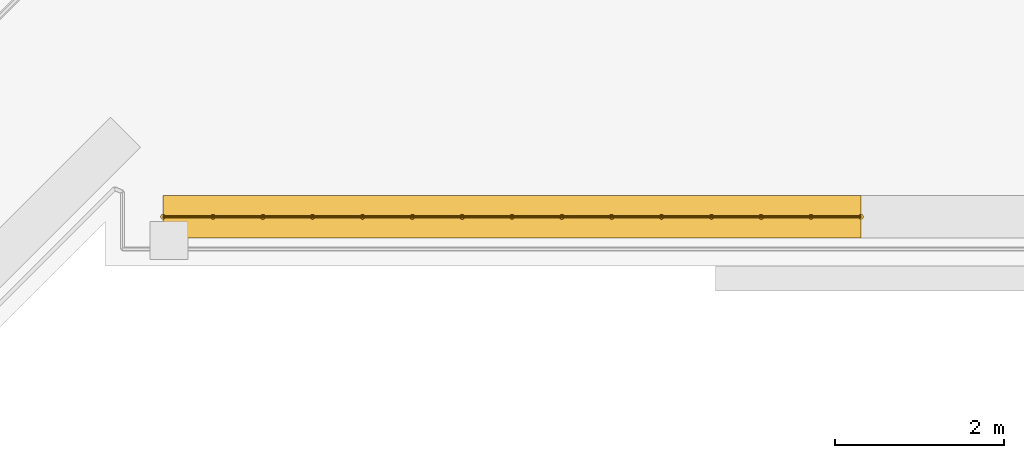
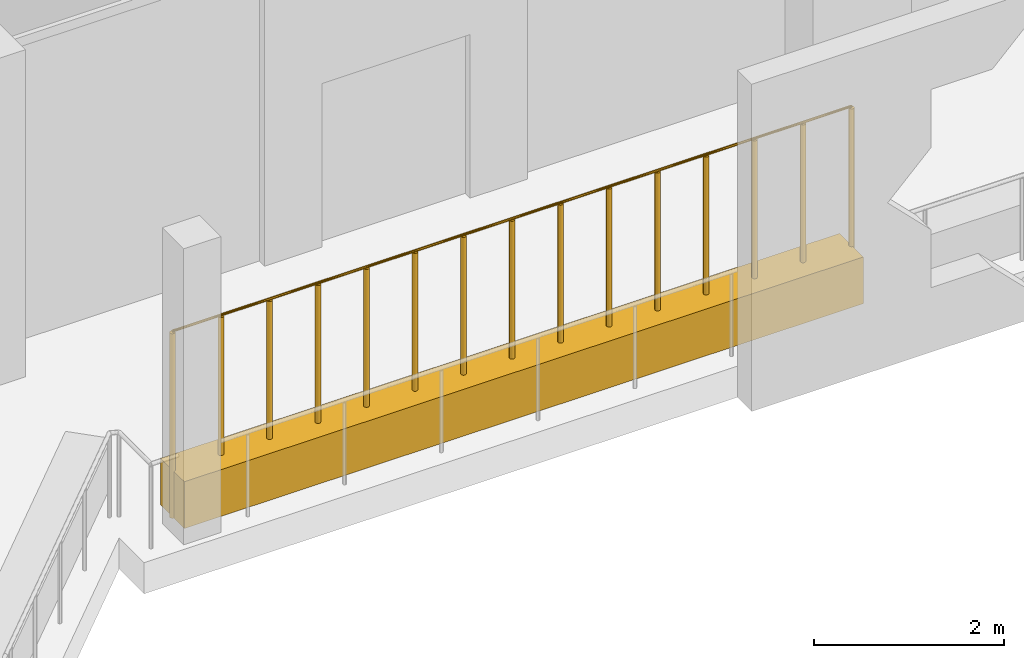
# One storey, part 25 of 29: 1 covering, 1 railing.
"""IFC4 building model written with IfcOpenShell, lengths in metres."""

from ifc_helpers import new_model, si_unit, direction, frame, origin, origin_2d, place, context, subcontext, project, spatial, rectangle, circle, extrude, material, material_profile, profile_set, type_object, element, save


model = new_model("IFC4")

# Units and contexts
model_context = context("Model", 3, precision=1e-05, world=origin(), true_north=direction((0.0, 1.0)))
body_context = subcontext(model_context, "Body", "Model", "MODEL_VIEW")
ifc_project = project(units=[si_unit("LENGTHUNIT", "METRE"), si_unit("AREAUNIT", "SQUARE_METRE"), si_unit("VOLUMEUNIT", "CUBIC_METRE"), si_unit("PLANEANGLEUNIT", "RADIAN"), si_unit("MASSUNIT", "GRAM", prefix="KILO")], contexts=[model_context])

# Site, building, storey
site_placement = place(None, origin())
site = spatial("IfcSite", under=ifc_project, at=site_placement, CompositionType="ELEMENT")
building_placement = place(site_placement, origin())
building = spatial("IfcBuilding", under=site, at=building_placement, Name="Kawkab Arch Medical Tower", CompositionType="ELEMENT")
storey_placement = place(building_placement, frame((0.0, 0.0, 64.39990234375)))
storey = spatial("IfcBuildingStorey", under=building, at=storey_placement, Name="L14", CompositionType="ELEMENT", Elevation=64.39990234375)

# Covering
ifc_material_1 = material(Name="Planting soil in a precast trough", Category="concrete")
ifc_material_profile = material_profile(ifc_material_1, rectangle(XDim=0.5, YDim=0.60009765625, at=origin_2d()), Name="Trough 500x600")
ifc_profile_set = profile_set([ifc_material_profile], Name="Planting soil in a precast trough")
covering_type = type_object("IfcCoveringType", Name="Planter trough 500 x 600", PredefinedType="USERDEFINED", material=ifc_profile_set)
covering_placement = place(storey_placement, frame((40.126953125, -28.820068359375, 0.300048828125), z_axis=(-1.0, 0.0, 0.0), x_axis=(0.0, -1.0, 0.0)))
element("IfcCovering", 1, at=covering_placement, inside=storey, type_object=covering_type, Name="Planter L14.LOG-01-01.41", ObjectType="PLANTER", PredefinedType="USERDEFINED", context=body_context, shape_type="SweptSolid", body=[
    extrude(rectangle(XDim=0.5, YDim=0.60009765625, at=origin_2d()), origin(), (0.0, 0.0, 1.0), 8.2470703125),
])

# Railing
ifc_material_2 = material(Name="Bronze anodised aluminium trellis for climbing plants", Category="aluminium")
railing_type = type_object("IfcRailingType", Name="Planting trellis 2400", PredefinedType="USERDEFINED", material=ifc_material_2)
railing_placement = place(storey_placement, frame((40.126953125, -28.820068359375, 0.0)))
element("IfcRailing", 2, at=railing_placement, inside=storey, type_object=railing_type, Name="Planting trellis L14.LOG-01-01.41", ObjectType="TRELLIS", PredefinedType="USERDEFINED", context=body_context, shape_type="SweptSolid", body=[
    extrude(circle(Radius=0.01513671875, at=origin_2d()), frame((0.0, 0.0, 2.384765625), z_axis=(-1.0, 0.0, 0.0), x_axis=(0.0, -1.0, 0.0)), (0.0, 0.0, 1.0), 8.2470703125),
    extrude(circle(Radius=0.030029296875, at=origin_2d()), origin(), (0.0, 0.0, 1.0), 2.369873046875),
    extrude(circle(Radius=0.030029296875, at=origin_2d()), frame((-0.589111328125, 0.0, 0.0)), (0.0, 0.0, 1.0), 2.369873046875),
    extrude(circle(Radius=0.030029296875, at=origin_2d()), frame((-1.17822265625, 0.0, 0.0)), (0.0, 0.0, 1.0), 2.369873046875),
    extrude(circle(Radius=0.030029296875, at=origin_2d()), frame((-1.767333984375, 0.0, 0.0)), (0.0, 0.0, 1.0), 2.369873046875),
    extrude(circle(Radius=0.030029296875, at=origin_2d()), frame((-2.356201171875, 0.0, 0.0)), (0.0, 0.0, 1.0), 2.369873046875),
    extrude(circle(Radius=0.030029296875, at=origin_2d()), frame((-2.9453125, 0.0, 0.0)), (0.0, 0.0, 1.0), 2.369873046875),
    extrude(circle(Radius=0.030029296875, at=origin_2d()), frame((-3.534423828125, 0.0, 0.0)), (0.0, 0.0, 1.0), 2.369873046875),
    extrude(circle(Radius=0.030029296875, at=origin_2d()), frame((-4.12353515625, 0.0, 0.0)), (0.0, 0.0, 1.0), 2.369873046875),
    extrude(circle(Radius=0.030029296875, at=origin_2d()), frame((-4.712646484375, 0.0, 0.0)), (0.0, 0.0, 1.0), 2.369873046875),
    extrude(circle(Radius=0.030029296875, at=origin_2d()), frame((-5.3017578125, 0.0, 0.0)), (0.0, 0.0, 1.0), 2.369873046875),
    extrude(circle(Radius=0.030029296875, at=origin_2d()), frame((-5.890869140625, 0.0, 0.0)), (0.0, 0.0, 1.0), 2.369873046875),
    extrude(circle(Radius=0.030029296875, at=origin_2d()), frame((-6.479736328125, 0.0, 0.0)), (0.0, 0.0, 1.0), 2.369873046875),
    extrude(circle(Radius=0.030029296875, at=origin_2d()), frame((-7.06884765625, 0.0, 0.0)), (0.0, 0.0, 1.0), 2.369873046875),
    extrude(circle(Radius=0.030029296875, at=origin_2d()), frame((-7.657958984375, 0.0, 0.0)), (0.0, 0.0, 1.0), 2.369873046875),
    extrude(circle(Radius=0.030029296875, at=origin_2d()), frame((-8.2470703125, 0.0, 0.0)), (0.0, 0.0, 1.0), 2.369873046875),
])

save(model, "model.ifc")
